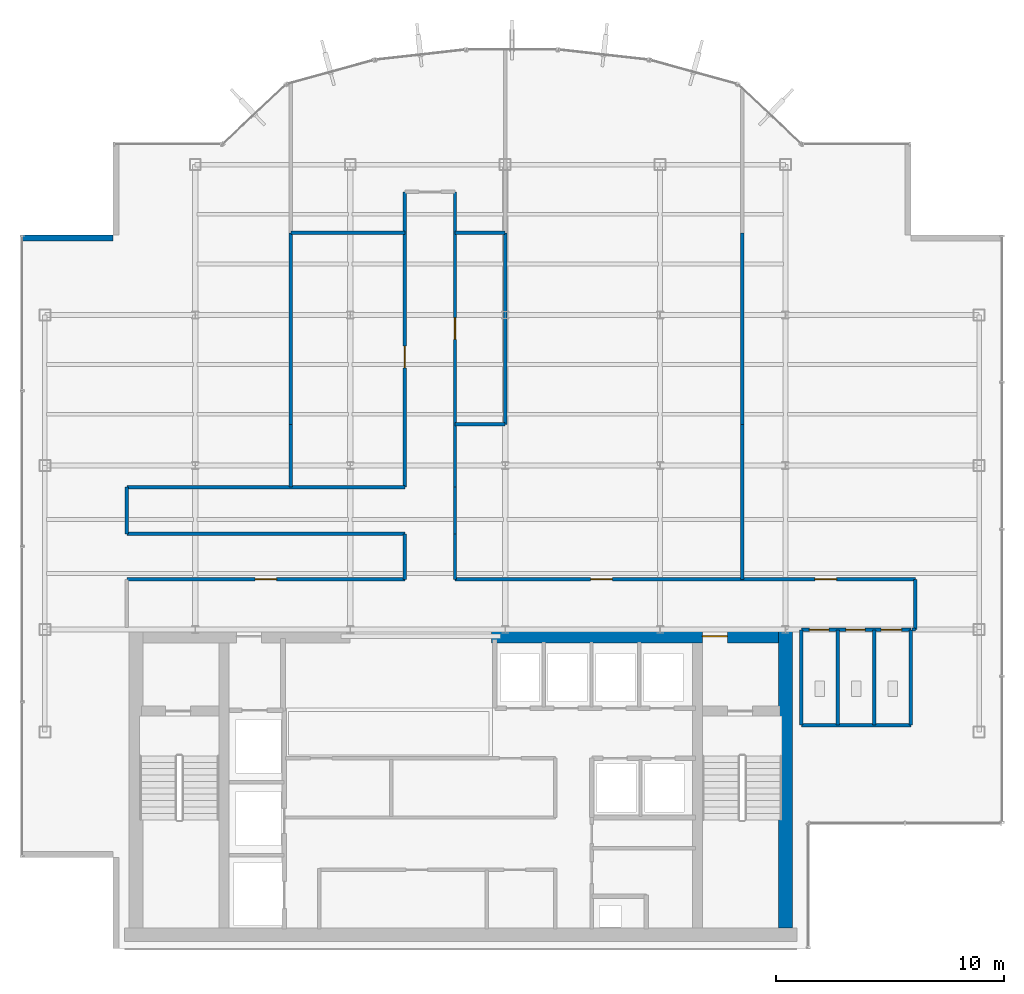
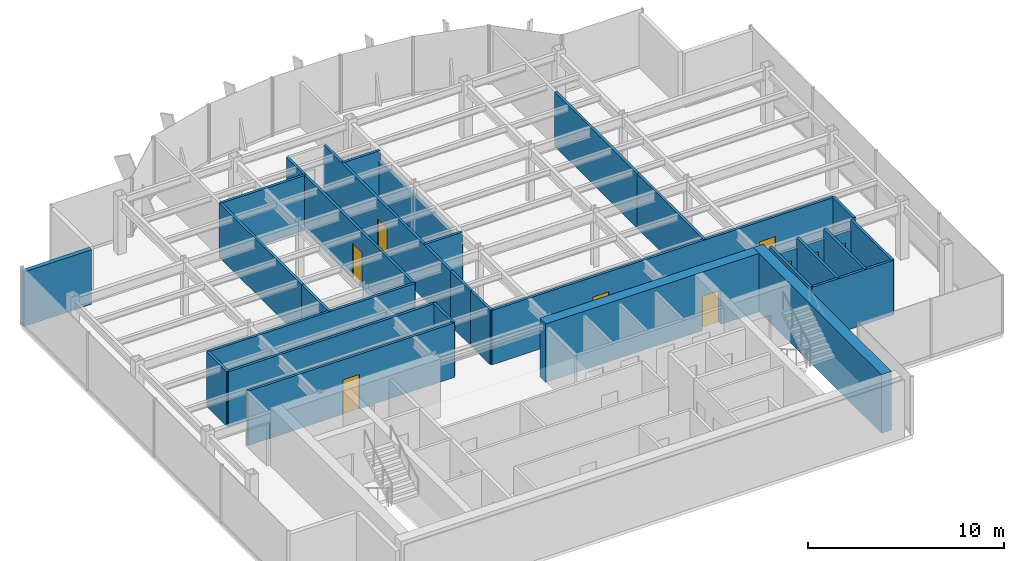
# One storey, part 18 of 22: 29 walls, 9 doors, 9 openings.
"""IFC4 building model written with IfcOpenShell, lengths in metres."""

from ifc_helpers import new_model, si_unit, derived_unit, direction, frame, frame_2d, origin, place, context, subcontext, project, spatial, rectangle, extrude, source, transform, mapped, material, layer, layer_set, type_object, element, fill, save


model = new_model("IFC4")

# Units and contexts
model_context = context("Model", 3, precision=1e-05, world=origin(), true_north=direction((0.0, 1.0)))
body_context = subcontext(model_context, "Body", "Model", "MODEL_VIEW")
ifc_project = project(units=[si_unit("LENGTHUNIT", "METRE"), si_unit("AREAUNIT", "SQUARE_METRE"), si_unit("VOLUMEUNIT", "CUBIC_METRE"), si_unit("PLANEANGLEUNIT", "RADIAN"), si_unit("MASSUNIT", "GRAM", prefix="KILO"), derived_unit("THERMALTRANSMITTANCEUNIT", [(si_unit("POWERUNIT", "WATT"), 1), (si_unit("LENGTHUNIT", "METRE"), -2), (si_unit("THERMODYNAMICTEMPERATUREUNIT", "KELVIN"), -1)])], contexts=[model_context])

# Site, building, storey
site_placement = place(None, origin())
site = spatial("IfcSite", under=ifc_project, at=site_placement, CompositionType="ELEMENT")
building_placement = place(site_placement, origin())
building = spatial("IfcBuilding", under=site, at=building_placement, Name="Skarnbrae Concourse Arena and Tower", CompositionType="ELEMENT")
storey_placement = place(building_placement, frame((0.0, 0.0, 228.75)))
storey = spatial("IfcBuildingStorey", under=building, at=storey_placement, Name="L59", CompositionType="ELEMENT", Elevation=228.75)

# Wall
ifc_material_1 = material(Name="Concrete 50 MPa (C50/60)", Category="concrete")
ifc_layer_1 = layer(ifc_material_1, 0.60009765625)
ifc_layer_set_1 = layer_set([ifc_layer_1], Name="Concrete 50 MPa (C50/60)")
wall_type_1 = type_object("IfcWallType", Name="WALL-CORE-600-C50", PredefinedType="SHEAR", material=ifc_layer_set_1)
shared_shape_1 = source(origin(), body_context, "Body", "SweptSolid", [
    extrude(rectangle(XDim=13.10009765625, YDim=0.60009765625, at=frame_2d((6.550048828125, 0.0))), origin(), (0.0, 0.0, 1.0), 3.64990234375),
])
wall_1_placement = place(storey_placement, frame((33.5, 0.89990234375, 0.0), z_axis=(0.0, 0.0, 1.0), x_axis=(0.0, 1.0, 0.0)))
element("IfcWall", 1, at=wall_1_placement, inside=storey, type_object=wall_type_1, Name="L59 Rear core shear wall CW-E", PredefinedType="SHEAR", context=body_context, shape_type="MappedRepresentation", body=[
    mapped(shared_shape_1, transform((0.0, 0.0, 0.0))),
])

# Wall, opening, door
shared_shape_2 = source(origin(), body_context, "Body", "SweptSolid", [
    extrude(rectangle(XDim=12.599853515625, YDim=0.60009765625, at=frame_2d((6.2998046875, 0.0))), origin(), (0.0, 0.0, 1.0), 3.64990234375),
])
wall_2_placement = place(storey_placement, frame((20.60009765625, 13.699951171875, 0.0), z_axis=(0.0, 0.0, 1.0), x_axis=(1.0, 0.0, 0.0)))
wall_2 = element("IfcWall", 2, at=wall_2_placement, inside=storey, type_object=wall_type_1, Name="L59 Rear core shear wall CW-NE", PredefinedType="SHEAR", context=body_context, shape_type="MappedRepresentation", body=[
    mapped(shared_shape_2, transform((0.0, 0.0, 0.0))),
])
opening_1_placement = place(wall_2_placement, frame((9.25, 0.0, 0.0)))
opening_1 = element("IfcOpeningElement", 3, at=opening_1_placement, cuts=wall_2, Name="Opening DT-03", PredefinedType="OPENING", context=body_context, shape_type="SweptSolid", body=[
    extrude(rectangle(XDim=1.10009765625, YDim=2.14990234375, at=frame_2d((0.550048828125, 1.074951171875))), frame((0.0, 0.31005859375, 0.0), z_axis=(0.0, -1.0, 0.0), x_axis=(1.0, 0.0, 0.0)), (0.0, 0.0, 1.0), 0.6201171875),
])
ifc_material_2 = material(Name="Steel CSA G40.21 350W", Category="steel")
door_type_1 = type_object("IfcDoorType", Name="DOOR-FIRE-1100-90M", OperationType="NOTDEFINED", PredefinedType="DOOR", material=ifc_material_2)
shared_shape_3 = source(origin(), body_context, "Body", "SweptSolid", [
    extrude(rectangle(XDim=1.10009765625, YDim=2.14990234375, at=frame_2d((0.550048828125, 1.074951171875))), frame((0.0, 0.02490234375, 0.0), z_axis=(0.0, -1.0, 0.0), x_axis=(1.0, 0.0, 0.0)), (0.0, 0.0, 1.0), 0.050048828125),
])
door_1_placement = place(opening_1_placement, origin())
door_1 = element("IfcDoor", 4, at=door_1_placement, inside=storey, type_object=door_type_1, Name="D-1793 Stair ST-2 Vestibule Door", OperationType="SINGLE_SWING_LEFT", OverallHeight=2.14990234375, OverallWidth=1.10009765625, PredefinedType="DOOR", context=body_context, shape_type="MappedRepresentation", body=[
    mapped(shared_shape_3, transform((0.0, 0.0, 0.0))),
])
fill(opening_1, door_1)

# Walls
ifc_material_3 = material(Name="Precast concrete 40 MPa (C40/50)", Category="concrete")
ifc_layer_2 = layer(ifc_material_3, 0.25)
ifc_layer_set_2 = layer_set([ifc_layer_2], Name="Precast concrete 40 MPa (C40/50)")
wall_type_2 = type_object("IfcWallType", Name="WALL-EXT-SPANDREL-250", PredefinedType="STANDARD", material=ifc_layer_set_2)
shared_shape_4 = source(origin(), body_context, "Body", "SweptSolid", [
    extrude(rectangle(XDim=4.0, YDim=0.25, at=frame_2d((2.0, 0.0))), origin(), (0.0, 0.0, 1.0), 3.39990234375),
])
wall_3_placement = place(storey_placement, frame((4.0, 31.175048828125, 0.0), z_axis=(0.0, 0.0, 1.0), x_axis=(-1.0, 0.0, 0.0)))
element("IfcWall", 5, at=wall_3_placement, inside=storey, type_object=wall_type_2, Name="L59 Notched corner insulated return wall 17", PredefinedType="STANDARD", context=body_context, shape_type="MappedRepresentation", body=[
    mapped(shared_shape_4, transform((0.0, 0.0, 0.0))),
])
ifc_material_4 = material(Name="Gypsum board on cold-formed steel studs", Category="steel")
ifc_layer_3 = layer(ifc_material_4, 0.14990234375)
ifc_layer_set_3 = layer_set([ifc_layer_3], Name="Gypsum board on cold-formed steel studs")
wall_type_3 = type_object("IfcWallType", Name="WALL-PART-150", PredefinedType="PARTITIONING", material=ifc_layer_set_3)
shared_shape_5 = source(origin(), body_context, "Body", "SweptSolid", [
    extrude(rectangle(XDim=4.800048828125, YDim=0.14990234375, at=frame_2d((2.39990234375, 0.0))), origin(), (0.0, 0.0, 1.0), 3.39990234375),
])
wall_4_placement = place(storey_placement, frame((34.199951171875, 9.800048828125, 0.0), z_axis=(0.0, 0.0, 1.0), x_axis=(1.0, 0.0, 0.0)))
element("IfcWall", 6, at=wall_4_placement, inside=storey, type_object=wall_type_3, Name="L59 Interior partition wall W-L59-WC-S", PredefinedType="PARTITIONING", context=body_context, shape_type="MappedRepresentation", body=[
    mapped(shared_shape_5, transform((0.0, 0.0, 0.0))),
])
shared_shape_6 = source(origin(), body_context, "Body", "SweptSolid", [
    extrude(rectangle(XDim=4.179931640625, YDim=0.14990234375, at=frame_2d((2.08984375, 0.0))), origin(), (0.0, 0.0, 1.0), 3.39990234375),
])
for number, where, z_axis, x_axis, name in (
    (7, (39.0, 9.800048828125, 0.0), (0.0, 0.0, 1.0), (0.0, 1.0, 0.0), "L59 Interior partition wall W-L59-WC-E"),
    (8, (34.199951171875, 9.800048828125, 0.0), (0.0, 0.0, 1.0), (0.0, 1.0, 0.0), "L59 Interior partition wall W-L59-WC-W"),
    (9, (35.800048828125, 9.800048828125, 0.0), (0.0, 0.0, 1.0), (0.0, 1.0, 0.0), "L59 Interior partition wall W-L59-WC-D1"),
    (10, (37.39990234375, 9.800048828125, 0.0), (0.0, 0.0, 1.0), (0.0, 1.0, 0.0), "L59 Interior partition wall W-L59-WC-D2"),
):
    element("IfcWall", number, at=place(storey_placement, frame(where, z_axis=z_axis, x_axis=x_axis)), inside=storey, type_object=wall_type_3, Name=name, PredefinedType="PARTITIONING", context=body_context, shape_type="MappedRepresentation", body=[
        mapped(shared_shape_6, transform((0.0, 0.0, 0.0))),
    ])
ifc_layer_4 = layer(ifc_material_4, 0.14990234375)
ifc_layer_set_4 = layer_set([ifc_layer_4], Name="Gypsum board on cold-formed steel studs")
wall_type_4 = type_object("IfcWallType", Name="WALL-PART-150-1HR", PredefinedType="PARTITIONING", material=ifc_layer_set_4)
shared_shape_7 = source(origin(), body_context, "Body", "SweptSolid", [
    extrude(rectangle(XDim=2.050048828125, YDim=0.14990234375, at=frame_2d((1.02490234375, 0.0))), origin(), (0.0, 0.0, 1.0), 3.39990234375),
])
for number, where, z_axis, x_axis, name in (
    (11, (4.60009765625, 18.199951171875, 0.0), (0.0, 0.0, 1.0), (0.0, 1.0, 0.0), "L59 Interior partition wall W-L59-COR-05"),
    (12, (19.0, 20.25, 0.0), (0.0, 0.0, 1.0), (0.0, -1.0, 0.0), "L59 Interior partition wall W-L59-COR-10"),
):
    element("IfcWall", number, at=place(storey_placement, frame(where, z_axis=z_axis, x_axis=x_axis)), inside=storey, type_object=wall_type_4, Name=name, PredefinedType="PARTITIONING", context=body_context, shape_type="MappedRepresentation", body=[
        mapped(shared_shape_7, transform((0.0, 0.0, 0.0))),
    ])
shared_shape_8 = source(origin(), body_context, "Body", "SweptSolid", [
    extrude(rectangle(XDim=2.199951171875, YDim=0.14990234375, at=frame_2d((1.10009765625, 0.0))), origin(), (0.0, 0.0, 1.0), 3.39990234375),
])
wall_5_placement = place(storey_placement, frame((39.199951171875, 16.199951171875, 0.0), z_axis=(0.0, 0.0, 1.0), x_axis=(0.0, -1.0, 0.0)))
element("IfcWall", 13, at=wall_5_placement, inside=storey, type_object=wall_type_4, Name="L59 Interior partition wall W-L59-COR-13", PredefinedType="PARTITIONING", context=body_context, shape_type="MappedRepresentation", body=[
    mapped(shared_shape_8, transform((0.0, 0.0, 0.0))),
])
for number, where, z_axis, x_axis, name in (
    (14, (21.199951171875, 23.0, 0.0), (0.0, 0.0, 1.0), (-1.0, 0.0, 0.0), "L59 Interior partition wall W-L59-DEM-20"),
    (15, (21.199951171875, 31.39990234375, 0.0), (0.0, 0.0, 1.0), (-1.0, 0.0, 0.0), "L59 Interior partition wall W-L59-DEM-21"),
):
    element("IfcWall", number, at=place(storey_placement, frame(where, z_axis=z_axis, x_axis=x_axis)), inside=storey, type_object=wall_type_3, Name=name, PredefinedType="PARTITIONING", context=body_context, shape_type="MappedRepresentation", body=[
        mapped(shared_shape_8, transform((0.0, 0.0, 0.0))),
    ])

# Wall, opening, door
shared_shape_9 = source(origin(), body_context, "Body", "SweptSolid", [
    extrude(rectangle(XDim=12.199951171875, YDim=0.14990234375, at=frame_2d((6.10009765625, 0.0))), origin(), (0.0, 0.0, 1.0), 3.39990234375),
])
wall_6_placement = place(storey_placement, frame((4.60009765625, 16.199951171875, 0.0), z_axis=(0.0, 0.0, 1.0), x_axis=(1.0, 0.0, 0.0)))
wall_6 = element("IfcWall", 16, at=wall_6_placement, inside=storey, type_object=wall_type_4, Name="L59 Interior partition wall W-L59-COR-02", PredefinedType="PARTITIONING", context=body_context, shape_type="MappedRepresentation", body=[
    mapped(shared_shape_9, transform((0.0, 0.0, 0.0))),
])
opening_2_placement = place(wall_6_placement, frame((5.625, 0.0, 0.0)))
opening_2 = element("IfcOpeningElement", 17, at=opening_2_placement, cuts=wall_6, Name="Opening DT-04", PredefinedType="OPENING", context=body_context, shape_type="SweptSolid", body=[
    extrude(rectangle(XDim=0.949951171875, YDim=2.14990234375, at=frame_2d((0.47509765625, 1.074951171875))), frame((0.0, 0.0849609375, 0.0), z_axis=(0.0, -1.0, 0.0), x_axis=(1.0, 0.0, 0.0)), (0.0, 0.0, 1.0), 0.169921875),
])
door_type_2 = type_object("IfcDoorType", Name="DOOR-INT-950-45M", OperationType="NOTDEFINED", PredefinedType="DOOR", material=ifc_material_2)
shared_shape_10 = source(origin(), body_context, "Body", "SweptSolid", [
    extrude(rectangle(XDim=0.949951171875, YDim=2.14990234375, at=frame_2d((0.47509765625, 1.074951171875))), frame((0.0, 0.02490234375, 0.0), z_axis=(0.0, -1.0, 0.0), x_axis=(1.0, 0.0, 0.0)), (0.0, 0.0, 1.0), 0.050048828125),
])
door_2_placement = place(opening_2_placement, origin())
door_2 = element("IfcDoor", 18, at=door_2_placement, inside=storey, type_object=door_type_2, Name="D-1812 L59 Suite Door 01", OperationType="SINGLE_SWING_LEFT", OverallHeight=2.14990234375, OverallWidth=0.949951171875, PredefinedType="DOOR", context=body_context, shape_type="MappedRepresentation", body=[
    mapped(shared_shape_10, transform((0.0, 0.0, 0.0))),
])
fill(opening_2, door_2)

# Walls
for number, where, z_axis, x_axis, name in (
    (19, (16.800048828125, 18.199951171875, 0.0), (0.0, 0.0, 1.0), (-1.0, 0.0, 0.0), "L59 Interior partition wall W-L59-COR-04"),
    (20, (4.60009765625, 20.25, 0.0), (0.0, 0.0, 1.0), (1.0, 0.0, 0.0), "L59 Interior partition wall W-L59-COR-06"),
):
    element("IfcWall", number, at=place(storey_placement, frame(where, z_axis=z_axis, x_axis=x_axis)), inside=storey, type_object=wall_type_4, Name=name, PredefinedType="PARTITIONING", context=body_context, shape_type="MappedRepresentation", body=[
        mapped(shared_shape_9, transform((0.0, 0.0, 0.0))),
    ])
shared_shape_11 = source(origin(), body_context, "Body", "SweptSolid", [
    extrude(rectangle(XDim=0.14990234375, YDim=0.14990234375, at=frame_2d((0.074951171875, 0.0))), origin(), (0.0, 0.0, 1.0), 3.39990234375),
])
wall_7_placement = place(storey_placement, frame((39.199951171875, 14.0, 0.0), z_axis=(0.0, 0.0, 1.0), x_axis=(-1.0, 0.0, 0.0)))
element("IfcWall", 21, at=wall_7_placement, inside=storey, type_object=wall_type_4, Name="L59 Interior partition wall W-L59-COR-14", PredefinedType="PARTITIONING", context=body_context, shape_type="MappedRepresentation", body=[
    mapped(shared_shape_11, transform((0.0, 0.0, 0.0))),
])

# Wall, openings, doors
shared_shape_12 = source(origin(), body_context, "Body", "SweptSolid", [
    extrude(rectangle(XDim=4.800048828125, YDim=0.14990234375, at=frame_2d((2.39990234375, 0.0))), origin(), (0.0, 0.0, 1.0), 2.787109375),
])
wall_8_placement = place(storey_placement, frame((34.199951171875, 13.97998046875, 0.0), z_axis=(0.0, 0.0, 1.0), x_axis=(1.0, 0.0, 0.0)))
wall_8 = element("IfcWall", 22, at=wall_8_placement, inside=storey, type_object=wall_type_3, Name="L59 Interior partition wall W-L59-WC-N", PredefinedType="PARTITIONING", context=body_context, shape_type="MappedRepresentation", body=[
    mapped(shared_shape_12, transform((0.0, 0.0, 0.0))),
])
opening_3_placement = place(wall_8_placement, frame((0.35009765625, 0.0, 0.0)))
opening_3 = element("IfcOpeningElement", 23, at=opening_3_placement, cuts=wall_8, Name="Opening DT-06", PredefinedType="OPENING", context=body_context, shape_type="SweptSolid", body=[
    extrude(rectangle(XDim=0.85009765625, YDim=2.10009765625, at=frame_2d((0.425048828125, 1.050048828125))), frame((0.0, 0.0849609375, 0.0), z_axis=(0.0, -1.0, 0.0), x_axis=(1.0, 0.0, 0.0)), (0.0, 0.0, 1.0), 0.169921875),
])
opening_4_placement = place(wall_8_placement, frame((1.949951171875, 0.0, 0.0)))
opening_4 = element("IfcOpeningElement", 24, at=opening_4_placement, cuts=wall_8, Name="Opening DT-06", PredefinedType="OPENING", context=body_context, shape_type="SweptSolid", body=[
    extrude(rectangle(XDim=0.85009765625, YDim=2.10009765625, at=frame_2d((0.425048828125, 1.050048828125))), frame((0.0, 0.0849609375, 0.0), z_axis=(0.0, -1.0, 0.0), x_axis=(1.0, 0.0, 0.0)), (0.0, 0.0, 1.0), 0.169921875),
])
opening_5_placement = place(wall_8_placement, frame((3.5, 0.0, 0.0)))
opening_5 = element("IfcOpeningElement", 25, at=opening_5_placement, cuts=wall_8, Name="Opening DT-05", PredefinedType="OPENING", context=body_context, shape_type="SweptSolid", body=[
    extrude(rectangle(XDim=0.89990234375, YDim=2.10009765625, at=frame_2d((0.449951171875, 1.050048828125))), frame((0.0, 0.0849609375, 0.0), z_axis=(0.0, -1.0, 0.0), x_axis=(1.0, 0.0, 0.0)), (0.0, 0.0, 1.0), 0.169921875),
])
ifc_material_5 = material(Name="Architectural oak veneer timber leaf", Category="wood")
door_type_3 = type_object("IfcDoorType", Name="DOOR-INT-850", OperationType="NOTDEFINED", PredefinedType="DOOR", material=ifc_material_5)
shared_shape_13 = source(origin(), body_context, "Body", "SweptSolid", [
    extrude(rectangle(XDim=0.85009765625, YDim=2.10009765625, at=frame_2d((0.425048828125, 1.050048828125))), frame((0.0, 0.02490234375, 0.0), z_axis=(0.0, -1.0, 0.0), x_axis=(1.0, 0.0, 0.0)), (0.0, 0.0, 1.0), 0.050048828125),
])
door_3_placement = place(opening_3_placement, frame((0.85009765625, 0.0, 0.0), z_axis=(0.0, 0.0, 1.0), x_axis=(-1.0, 0.0, 0.0)))
door_3 = element("IfcDoor", 26, at=door_3_placement, inside=storey, type_object=door_type_3, Name="D-1809 Male Washroom Door", OperationType="SINGLE_SWING_LEFT", OverallHeight=2.10009765625, OverallWidth=0.85009765625, PredefinedType="DOOR", context=body_context, shape_type="MappedRepresentation", body=[
    mapped(shared_shape_13, transform((0.0, 0.0, 0.0))),
])
fill(opening_3, door_3)
door_4_placement = place(opening_4_placement, frame((0.85009765625, 0.0, 0.0), z_axis=(0.0, 0.0, 1.0), x_axis=(-1.0, 0.0, 0.0)))
door_4 = element("IfcDoor", 27, at=door_4_placement, inside=storey, type_object=door_type_3, Name="D-1810 Female Washroom Door", OperationType="SINGLE_SWING_RIGHT", OverallHeight=2.10009765625, OverallWidth=0.85009765625, PredefinedType="DOOR", context=body_context, shape_type="MappedRepresentation", body=[
    mapped(shared_shape_13, transform((0.0, 0.0, 0.0))),
])
fill(opening_4, door_4)
door_type_4 = type_object("IfcDoorType", Name="DOOR-INT-900", OperationType="NOTDEFINED", PredefinedType="DOOR", material=ifc_material_5)
shared_shape_14 = source(origin(), body_context, "Body", "SweptSolid", [
    extrude(rectangle(XDim=0.89990234375, YDim=2.10009765625, at=frame_2d((0.449951171875, 1.050048828125))), frame((0.0, 0.02490234375, 0.0), z_axis=(0.0, -1.0, 0.0), x_axis=(1.0, 0.0, 0.0)), (0.0, 0.0, 1.0), 0.050048828125),
])
door_5_placement = place(opening_5_placement, frame((0.89990234375, 0.0, 0.0), z_axis=(0.0, 0.0, 1.0), x_axis=(-1.0, 0.0, 0.0)))
door_5 = element("IfcDoor", 28, at=door_5_placement, inside=storey, type_object=door_type_4, Name="D-1811 Accessible WC Door", OperationType="SINGLE_SWING_LEFT", OverallHeight=2.10009765625, OverallWidth=0.89990234375, PredefinedType="DOOR", context=body_context, shape_type="MappedRepresentation", body=[
    mapped(shared_shape_14, transform((0.0, 0.0, 0.0))),
])
fill(opening_5, door_5)

shared_shape_15 = source(origin(), body_context, "Body", "SweptSolid", [
    extrude(rectangle(XDim=20.199951171875, YDim=0.14990234375, at=frame_2d((10.10009765625, 0.0))), origin(), (0.0, 0.0, 1.0), 3.39990234375),
])
wall_9_placement = place(storey_placement, frame((19.0, 16.199951171875, 0.0), z_axis=(0.0, 0.0, 1.0), x_axis=(1.0, 0.0, 0.0)))
wall_9 = element("IfcWall", 29, at=wall_9_placement, inside=storey, type_object=wall_type_4, Name="L59 Interior partition wall W-L59-COR-12", PredefinedType="PARTITIONING", context=body_context, shape_type="MappedRepresentation", body=[
    mapped(shared_shape_15, transform((0.0, 0.0, 0.0))),
])
opening_6_placement = place(wall_9_placement, frame((5.955078125, 0.0, 0.0)))
opening_6 = element("IfcOpeningElement", 30, at=opening_6_placement, cuts=wall_9, Name="Opening DT-04", PredefinedType="OPENING", context=body_context, shape_type="SweptSolid", body=[
    extrude(rectangle(XDim=0.949951171875, YDim=2.14990234375, at=frame_2d((0.47509765625, 1.074951171875))), frame((0.0, 0.0849609375, 0.0), z_axis=(0.0, -1.0, 0.0), x_axis=(1.0, 0.0, 0.0)), (0.0, 0.0, 1.0), 0.169921875),
])
opening_7_placement = place(wall_9_placement, frame((15.794921875, 0.0, 0.0)))
opening_7 = element("IfcOpeningElement", 31, at=opening_7_placement, cuts=wall_9, Name="Opening DT-04", PredefinedType="OPENING", context=body_context, shape_type="SweptSolid", body=[
    extrude(rectangle(XDim=0.949951171875, YDim=2.14990234375, at=frame_2d((0.47509765625, 1.074951171875))), frame((0.0, 0.0849609375, 0.0), z_axis=(0.0, -1.0, 0.0), x_axis=(1.0, 0.0, 0.0)), (0.0, 0.0, 1.0), 0.169921875),
])
door_6_placement = place(opening_6_placement, origin())
door_6 = element("IfcDoor", 32, at=door_6_placement, inside=storey, type_object=door_type_2, Name="D-1816 L59 Suite Door 05", OperationType="SINGLE_SWING_LEFT", OverallHeight=2.14990234375, OverallWidth=0.949951171875, PredefinedType="DOOR", context=body_context, shape_type="MappedRepresentation", body=[
    mapped(shared_shape_10, transform((0.0, 0.0, 0.0))),
])
fill(opening_6, door_6)
door_7_placement = place(opening_7_placement, origin())
door_7 = element("IfcDoor", 33, at=door_7_placement, inside=storey, type_object=door_type_2, Name="D-1817 L59 Suite Door 06", OperationType="SINGLE_SWING_RIGHT", OverallHeight=2.14990234375, OverallWidth=0.949951171875, PredefinedType="DOOR", context=body_context, shape_type="MappedRepresentation", body=[
    mapped(shared_shape_10, transform((0.0, 0.0, 0.0))),
])
fill(opening_7, door_7)

# Walls
shared_shape_16 = source(origin(), body_context, "Body", "SweptSolid", [
    extrude(rectangle(XDim=6.800048828125, YDim=0.14990234375, at=frame_2d((3.39990234375, 0.0))), origin(), (0.0, 0.0, 1.0), 3.39990234375),
])
wall_10_placement = place(storey_placement, frame((31.60009765625, 23.0, 0.0), z_axis=(0.0, 0.0, 1.0), x_axis=(0.0, -1.0, 0.0)))
element("IfcWall", 34, at=wall_10_placement, inside=storey, type_object=wall_type_3, Name="L59 Interior partition wall W-L59-DEM-25", PredefinedType="PARTITIONING", context=body_context, shape_type="MappedRepresentation", body=[
    mapped(shared_shape_16, transform((0.0, 0.0, 0.0))),
])
shared_shape_17 = source(origin(), body_context, "Body", "SweptSolid", [
    extrude(rectangle(XDim=2.0, YDim=0.14990234375, at=frame_2d((1.0, 0.0))), origin(), (0.0, 0.0, 1.0), 3.39990234375),
])
for number, where, z_axis, x_axis, name in (
    (35, (16.800048828125, 16.199951171875, 0.0), (0.0, 0.0, 1.0), (0.0, 1.0, 0.0), "L59 Interior partition wall W-L59-COR-03"),
    (36, (19.0, 18.199951171875, 0.0), (0.0, 0.0, 1.0), (0.0, -1.0, 0.0), "L59 Interior partition wall W-L59-COR-11"),
):
    element("IfcWall", number, at=place(storey_placement, frame(where, z_axis=z_axis, x_axis=x_axis)), inside=storey, type_object=wall_type_4, Name=name, PredefinedType="PARTITIONING", context=body_context, shape_type="MappedRepresentation", body=[
        mapped(shared_shape_17, transform((0.0, 0.0, 0.0))),
    ])

# Wall, opening, door
shared_shape_18 = source(origin(), body_context, "Body", "SweptSolid", [
    extrude(rectangle(XDim=12.949951171875, YDim=0.14990234375, at=frame_2d((6.47509765625, 0.0))), origin(), (0.0, 0.0, 1.0), 3.39990234375),
])
wall_11_placement = place(storey_placement, frame((16.800048828125, 20.25, 0.0), z_axis=(0.0, 0.0, 1.0), x_axis=(0.0, 1.0, 0.0)))
wall_11 = element("IfcWall", 37, at=wall_11_placement, inside=storey, type_object=wall_type_4, Name="L59 Interior partition wall W-L59-COR-07", PredefinedType="PARTITIONING", context=body_context, shape_type="MappedRepresentation", body=[
    mapped(shared_shape_18, transform((0.0, 0.0, 0.0))),
])
opening_8_placement = place(wall_11_placement, frame((5.22998046875, 0.0, 0.0)))
opening_8 = element("IfcOpeningElement", 38, at=opening_8_placement, cuts=wall_11, Name="Opening DT-04", PredefinedType="OPENING", context=body_context, shape_type="SweptSolid", body=[
    extrude(rectangle(XDim=0.949951171875, YDim=2.14990234375, at=frame_2d((0.47509765625, 1.074951171875))), frame((0.0, 0.0849609375, 0.0), z_axis=(0.0, -1.0, 0.0), x_axis=(1.0, 0.0, 0.0)), (0.0, 0.0, 1.0), 0.169921875),
])
door_8_placement = place(opening_8_placement, origin())
door_8 = element("IfcDoor", 39, at=door_8_placement, inside=storey, type_object=door_type_2, Name="D-1813 L59 Suite Door 02", OperationType="SINGLE_SWING_RIGHT", OverallHeight=2.14990234375, OverallWidth=0.949951171875, PredefinedType="DOOR", context=body_context, shape_type="MappedRepresentation", body=[
    mapped(shared_shape_10, transform((0.0, 0.0, 0.0))),
])
fill(opening_8, door_8)

wall_12_placement = place(storey_placement, frame((19.0, 33.199951171875, 0.0), z_axis=(0.0, 0.0, 1.0), x_axis=(0.0, -1.0, 0.0)))
wall_12 = element("IfcWall", 40, at=wall_12_placement, inside=storey, type_object=wall_type_4, Name="L59 Interior partition wall W-L59-COR-09", PredefinedType="PARTITIONING", context=body_context, shape_type="MappedRepresentation", body=[
    mapped(shared_shape_18, transform((0.0, 0.0, 0.0))),
])
opening_9_placement = place(wall_12_placement, frame((5.52490234375, 0.0, 0.0)))
opening_9 = element("IfcOpeningElement", 41, at=opening_9_placement, cuts=wall_12, Name="Opening DT-04", PredefinedType="OPENING", context=body_context, shape_type="SweptSolid", body=[
    extrude(rectangle(XDim=0.949951171875, YDim=2.14990234375, at=frame_2d((0.47509765625, 1.074951171875))), frame((0.0, 0.0849609375, 0.0), z_axis=(0.0, -1.0, 0.0), x_axis=(1.0, 0.0, 0.0)), (0.0, 0.0, 1.0), 0.169921875),
])
door_9_placement = place(opening_9_placement, origin())
door_9 = element("IfcDoor", 42, at=door_9_placement, inside=storey, type_object=door_type_2, Name="D-1815 L59 Suite Door 04", OperationType="SINGLE_SWING_RIGHT", OverallHeight=2.14990234375, OverallWidth=0.949951171875, PredefinedType="DOOR", context=body_context, shape_type="MappedRepresentation", body=[
    mapped(shared_shape_10, transform((0.0, 0.0, 0.0))),
])
fill(opening_9, door_9)

# Walls
shared_shape_19 = source(origin(), body_context, "Body", "SweptSolid", [
    extrude(rectangle(XDim=8.39990234375, YDim=0.14990234375, at=frame_2d((4.199951171875, 0.0))), origin(), (0.0, 0.0, 1.0), 3.39990234375),
])
for number, where, z_axis, x_axis, name in (
    (43, (11.800048828125, 31.39990234375, 0.0), (0.0, 0.0, 1.0), (0.0, -1.0, 0.0), "L59 Interior partition wall W-L59-DEM-15"),
    (44, (31.60009765625, 31.39990234375, 0.0), (0.0, 0.0, 1.0), (0.0, -1.0, 0.0), "L59 Interior partition wall W-L59-DEM-24"),
):
    element("IfcWall", number, at=place(storey_placement, frame(where, z_axis=z_axis, x_axis=x_axis)), inside=storey, type_object=wall_type_3, Name=name, PredefinedType="PARTITIONING", context=body_context, shape_type="MappedRepresentation", body=[
        mapped(shared_shape_19, transform((0.0, 0.0, 0.0))),
    ])
shared_shape_20 = source(origin(), body_context, "Body", "SweptSolid", [
    extrude(rectangle(XDim=2.75, YDim=0.14990234375, at=frame_2d((1.375, 0.0))), origin(), (0.0, 0.0, 1.0), 3.39990234375),
])
wall_13_placement = place(storey_placement, frame((11.800048828125, 23.0, 0.0), z_axis=(0.0, 0.0, 1.0), x_axis=(0.0, -1.0, 0.0)))
element("IfcWall", 45, at=wall_13_placement, inside=storey, type_object=wall_type_3, Name="L59 Interior partition wall W-L59-DEM-16", PredefinedType="PARTITIONING", context=body_context, shape_type="MappedRepresentation", body=[
    mapped(shared_shape_20, transform((0.0, 0.0, 0.0))),
])
shared_shape_21 = source(origin(), body_context, "Body", "SweptSolid", [
    extrude(rectangle(XDim=5.0, YDim=0.14990234375, at=frame_2d((2.5, 0.0))), origin(), (0.0, 0.0, 1.0), 3.39990234375),
])
wall_14_placement = place(storey_placement, frame((11.800048828125, 31.39990234375, 0.0), z_axis=(0.0, 0.0, 1.0), x_axis=(1.0, 0.0, 0.0)))
element("IfcWall", 46, at=wall_14_placement, inside=storey, type_object=wall_type_3, Name="L59 Interior partition wall W-L59-DEM-17", PredefinedType="PARTITIONING", context=body_context, shape_type="MappedRepresentation", body=[
    mapped(shared_shape_21, transform((0.0, 0.0, 0.0))),
])
shared_shape_22 = source(origin(), body_context, "Body", "SweptSolid", [
    extrude(rectangle(XDim=8.39990234375, YDim=0.14990234375, at=frame_2d((4.199951171875, 0.0))), origin(), (0.0, 0.0, 1.0), 2.787109375),
])
wall_15_placement = place(storey_placement, frame((21.199951171875, 31.39990234375, 0.0), z_axis=(0.0, 0.0, 1.0), x_axis=(0.0, -1.0, 0.0)))
element("IfcWall", 47, at=wall_15_placement, inside=storey, type_object=wall_type_3, Name="L59 Interior partition wall W-L59-DEM-19", PredefinedType="PARTITIONING", context=body_context, shape_type="MappedRepresentation", body=[
    mapped(shared_shape_22, transform((0.0, 0.0, 0.0))),
])

save(model, "model.ifc")
